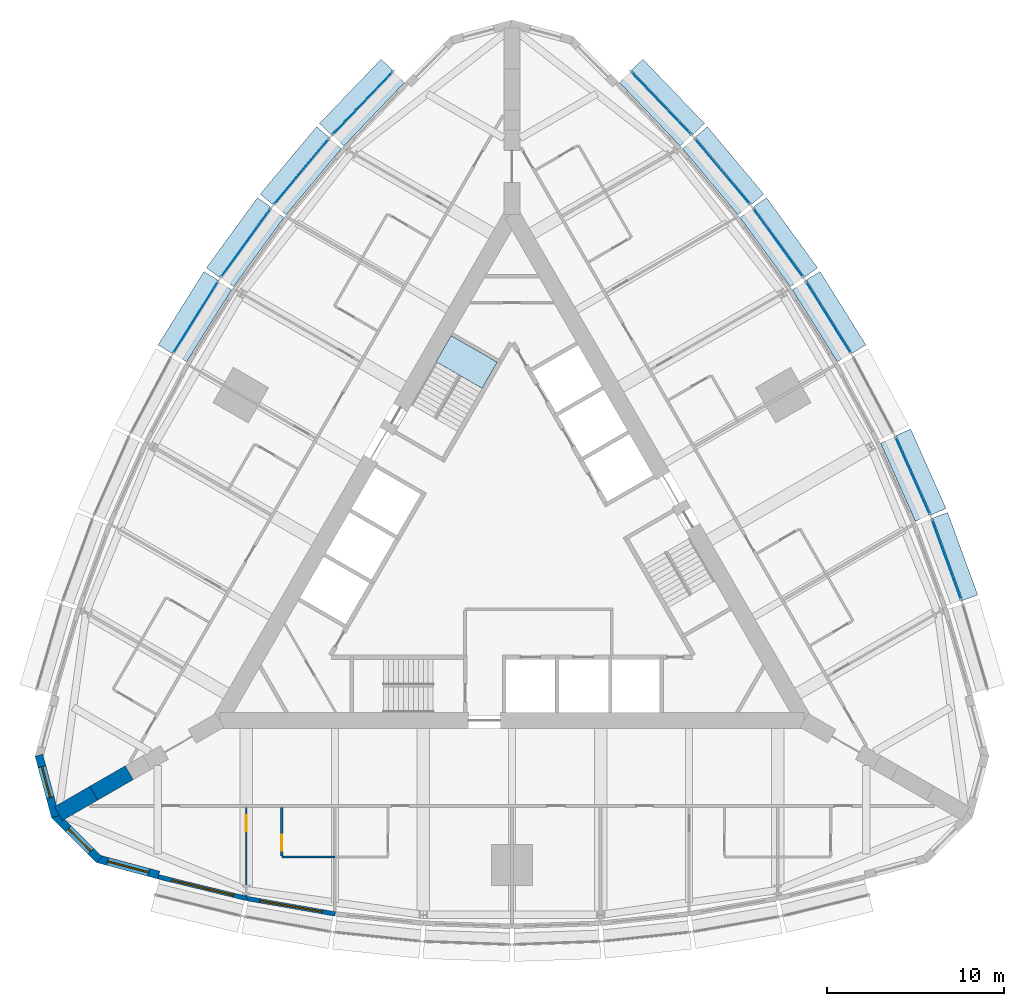
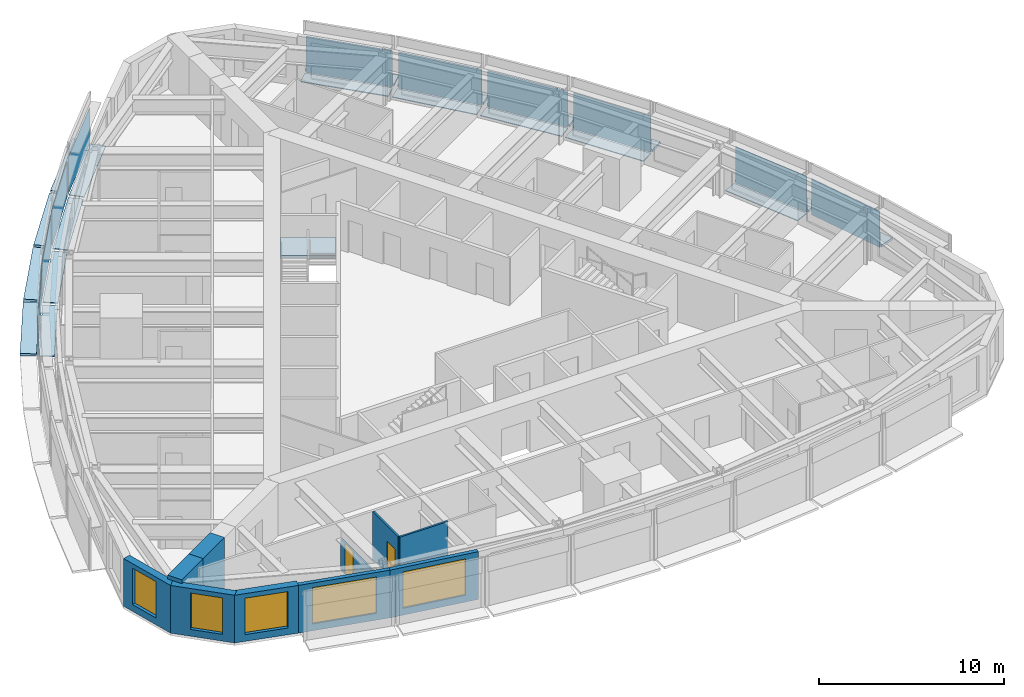
# One storey, part 8 of 15: 29 plates, 10 walls, 5 windows, 2 doors, 1 slab, 7 openings, 11 elements without a shape of their own.
"""IFC4 building model written with IfcOpenShell, lengths in metres."""

from ifc_helpers import new_model, si_unit, direction, frame, frame_2d, origin, origin_2d, place, context, subcontext, project, spatial, polyline, rectangle, outline, extrude, material, layer, layer_set, type_object, element, fill, aggregate, save


model = new_model("IFC4")

# Units and contexts
model_context = context("Model", 3, precision=1e-05, world=origin(), true_north=direction((0.0, 1.0)))
body_context = subcontext(model_context, "Body", "Model", "MODEL_VIEW")
ifc_project = project(units=[si_unit("LENGTHUNIT", "METRE"), si_unit("AREAUNIT", "SQUARE_METRE"), si_unit("VOLUMEUNIT", "CUBIC_METRE"), si_unit("PLANEANGLEUNIT", "RADIAN"), si_unit("MASSUNIT", "GRAM", prefix="KILO")], contexts=[model_context])

# Site, building, storey
site_placement = place(None, origin())
site = spatial("IfcSite", under=ifc_project, at=site_placement, CompositionType="ELEMENT")
building_placement = place(site_placement, origin())
building = spatial("IfcBuilding", under=site, at=building_placement, Name="Trikona Tower", CompositionType="ELEMENT")
storey_placement = place(building_placement, frame((0.0, 0.0, 186.10009765625)))
storey = spatial("IfcBuildingStorey", under=building, at=storey_placement, Name="L50", CompositionType="ELEMENT", Elevation=186.10009765625)

# Plates
ifc_material_1 = material(Name="Aluminium bar grating", Category="aluminium")
ifc_layer_1 = layer(ifc_material_1, 0.050048828125)
ifc_layer_set_1 = layer_set([ifc_layer_1], Name="Cavity catwalk grating")
plate_type_1 = type_object("IfcPlateType", Name="Cavity catwalk grating", PredefinedType="USERDEFINED", material=ifc_layer_set_1)
plate_1_placement = place(storey_placement, frame((22.175048828125, 4.092529296875, -0.05029296875), z_axis=(0.0, 0.0, 1.0), x_axis=(-0.406843467615, 0.913497888809, 0.0)))
element("IfcPlate", 1, at=plate_1_placement, inside=storey, type_object=plate_type_1, Name="Cavity catwalk L50-14", ObjectType="CATWALK GRATING", PredefinedType="USERDEFINED", context=body_context, shape_type="SweptSolid", body=[
    extrude(rectangle(XDim=4.827392578125, YDim=0.830078125, at=origin_2d()), origin(), (0.0, 0.0, 1.0), 0.050048828125),
])
plate_2_placement = place(storey_placement, frame((17.450927734375, 12.978759765625, -0.05029296875), z_axis=(0.0, 0.0, 1.0), x_axis=(-0.529994748414, 0.848000923734, 0.0)))
element("IfcPlate", 2, at=plate_2_placement, inside=storey, type_object=plate_type_1, Name="Cavity catwalk L50-16", ObjectType="CATWALK GRATING", PredefinedType="USERDEFINED", context=body_context, shape_type="SweptSolid", body=[
    extrude(rectangle(XDim=4.802978515625, YDim=0.830078125, at=origin_2d()), origin(), (0.0, 0.0, 1.0), 0.050048828125),
])
plate_3_placement = place(storey_placement, frame((14.6318359375, 17.157958984375, -0.05029296875), z_axis=(0.0, 0.0, 1.0), x_axis=(-0.587686407834, 0.809088799853, 0.0)))
element("IfcPlate", 3, at=plate_3_placement, inside=storey, type_object=plate_type_1, Name="Cavity catwalk L50-17", ObjectType="CATWALK GRATING", PredefinedType="USERDEFINED", context=body_context, shape_type="SweptSolid", body=[
    extrude(rectangle(XDim=4.827392578125, YDim=0.830078125, at=origin_2d()), origin(), (0.0, 0.0, 1.0), 0.050048828125),
])
plate_4_placement = place(storey_placement, frame((11.508056640625, 21.160400390625, -0.05029296875), z_axis=(0.0, 0.0, 1.0), x_axis=(-0.641807063101, 0.766866151133, 0.0)))
element("IfcPlate", 4, at=plate_4_placement, inside=storey, type_object=plate_type_1, Name="Cavity catwalk L50-18", ObjectType="CATWALK GRATING", PredefinedType="USERDEFINED", context=body_context, shape_type="SweptSolid", body=[
    extrude(rectangle(XDim=4.8759765625, YDim=0.830078125, at=origin_2d()), origin(), (0.0, 0.0, 1.0), 0.050048828125),
])
for number, where, z_axis, x_axis, name in (
    (5, (8.080078125, 24.986328125, -0.05029296875), (0.0, 0.0, 1.0), (-0.691723573819, 0.722162376078, 0.0), "Cavity catwalk L50-19"),
    (6, (-8.080078125, 24.986328125, -0.05029296875), (0.0, 0.0, 1.0), (-0.691723573819, -0.722162376078, 0.0), "Cavity catwalk L50-24"),
):
    element("IfcPlate", number, at=place(storey_placement, frame(where, z_axis=z_axis, x_axis=x_axis)), inside=storey, type_object=plate_type_1, Name=name, ObjectType="CATWALK GRATING", PredefinedType="USERDEFINED", context=body_context, shape_type="SweptSolid", body=[
        extrude(rectangle(XDim=4.947998046875, YDim=0.830078125, at=origin_2d()), origin(), (0.0, 0.0, 1.0), 0.050048828125),
    ])
plate_5_placement = place(storey_placement, frame((-11.508056640625, 21.160400390625, -0.05029296875), z_axis=(0.0, 0.0, 1.0), x_axis=(-0.641807063101, -0.766866151133, 0.0)))
element("IfcPlate", 7, at=plate_5_placement, inside=storey, type_object=plate_type_1, Name="Cavity catwalk L50-25", ObjectType="CATWALK GRATING", PredefinedType="USERDEFINED", context=body_context, shape_type="SweptSolid", body=[
    extrude(rectangle(XDim=4.8759765625, YDim=0.830078125, at=origin_2d()), origin(), (0.0, 0.0, 1.0), 0.050048828125),
])
plate_6_placement = place(storey_placement, frame((-14.6318359375, 17.157958984375, -0.05029296875), z_axis=(0.0, 0.0, 1.0), x_axis=(-0.587686407834, -0.809088799853, 0.0)))
element("IfcPlate", 8, at=plate_6_placement, inside=storey, type_object=plate_type_1, Name="Cavity catwalk L50-26", ObjectType="CATWALK GRATING", PredefinedType="USERDEFINED", context=body_context, shape_type="SweptSolid", body=[
    extrude(rectangle(XDim=4.827392578125, YDim=0.830078125, at=origin_2d()), origin(), (0.0, 0.0, 1.0), 0.050048828125),
])
plate_7_placement = place(storey_placement, frame((-17.450927734375, 12.978759765625, -0.05029296875), z_axis=(0.0, 0.0, 1.0), x_axis=(-0.529994748414, -0.848000923734, 0.0)))
element("IfcPlate", 9, at=plate_7_placement, inside=storey, type_object=plate_type_1, Name="Cavity catwalk L50-27", ObjectType="CATWALK GRATING", PredefinedType="USERDEFINED", context=body_context, shape_type="SweptSolid", body=[
    extrude(rectangle(XDim=4.802978515625, YDim=0.830078125, at=origin_2d()), origin(), (0.0, 0.0, 1.0), 0.050048828125),
])

# Curtain wall, plate
ifc_material_2 = material(Name="Aluminium curtain wall system", Category="aluminium")
curtain_wall_type = type_object("IfcCurtainWallType", Name="Curtain wall DS2S", PredefinedType="NOTDEFINED", material=ifc_material_2)
curtain_wall_1_placement = place(storey_placement, origin())
curtain_wall_1 = element("IfcCurtainWall", 10, at=curtain_wall_1_placement, inside=storey, type_object=curtain_wall_type, Name="Curtain wall DS2S L50", PredefinedType="NOTDEFINED")
ifc_material_3 = material(Name="Laminated clear glass", Category="glass")
ifc_layer_2 = layer(ifc_material_3, 0.028076171875)
ifc_layer_set_2 = layer_set([ifc_layer_2], Name="Glass panel DS2S")
plate_type_2 = type_object("IfcPlateType", Name="Glass panel DS2S", PredefinedType="CURTAIN_PANEL", material=ifc_layer_set_2)
plate_8_placement = place(storey_placement, frame((24.53515625, -0.447509765625, 0.0), z_axis=(0.0, 0.0, 1.0), x_axis=(-0.343223420143, 0.939253790978, 0.0)))
plate_8 = element("IfcPlate", 11, at=plate_8_placement, type_object=plate_type_2, Name="CW-DS2S panel 1.1", PredefinedType="CURTAIN_PANEL", context=body_context, shape_type="SweptSolid", body=[
    extrude(rectangle(XDim=4.7958984375, YDim=0.028076171875, at=origin_2d()), origin(), (0.0, 0.0, 1.0), 2.39990234375),
])
aggregate(curtain_wall_1, [plate_8])

curtain_wall_2_placement = place(storey_placement, origin())
curtain_wall_2 = element("IfcCurtainWall", 12, at=curtain_wall_2_placement, inside=storey, type_object=curtain_wall_type, Name="Curtain wall DS2S L50", PredefinedType="NOTDEFINED")
plate_9_placement = place(storey_placement, frame((22.6181640625, 4.289794921875, 0.0), z_axis=(0.0, 0.0, 1.0), x_axis=(-0.406836013132, 0.913501208767, 0.0)))
plate_9 = element("IfcPlate", 13, at=plate_9_placement, type_object=plate_type_2, Name="CW-DS2S panel 1.1", PredefinedType="CURTAIN_PANEL", context=body_context, shape_type="SweptSolid", body=[
    extrude(rectangle(XDim=4.747314453125, YDim=0.028076171875, at=origin_2d()), origin(), (0.0, 0.0, 1.0), 2.39990234375),
])
aggregate(curtain_wall_2, [plate_9])

curtain_wall_3_placement = place(storey_placement, origin())
curtain_wall_3 = element("IfcCurtainWall", 14, at=curtain_wall_3_placement, inside=storey, type_object=curtain_wall_type, Name="Curtain wall DS2S L50", PredefinedType="NOTDEFINED")
plate_10_placement = place(storey_placement, frame((17.8623046875, 13.23583984375, 0.0), z_axis=(0.0, 0.0, 1.0), x_axis=(-0.529998940002, 0.847998304006, 0.0)))
plate_10 = element("IfcPlate", 15, at=plate_10_placement, type_object=plate_type_2, Name="CW-DS2S panel 1.1", PredefinedType="CURTAIN_PANEL", context=body_context, shape_type="SweptSolid", body=[
    extrude(rectangle(XDim=4.72314453125, YDim=0.028076171875, at=origin_2d()), origin(), (0.0, 0.0, 1.0), 2.39990234375),
])
aggregate(curtain_wall_3, [plate_10])

curtain_wall_4_placement = place(storey_placement, origin())
curtain_wall_4 = element("IfcCurtainWall", 16, at=curtain_wall_4_placement, inside=storey, type_object=curtain_wall_type, Name="Curtain wall DS2S L50", PredefinedType="NOTDEFINED")
plate_11_placement = place(storey_placement, frame((15.024169921875, 17.443115234375, 0.0), z_axis=(0.0, 0.0, 1.0), x_axis=(-0.587690588313, 0.80908576332, 0.0)))
plate_11 = element("IfcPlate", 17, at=plate_11_placement, type_object=plate_type_2, Name="CW-DS2S panel 1.1", PredefinedType="CURTAIN_PANEL", context=body_context, shape_type="SweptSolid", body=[
    extrude(rectangle(XDim=4.74755859375, YDim=0.028076171875, at=origin_2d()), origin(), (0.0, 0.0, 1.0), 2.39990234375),
])
aggregate(curtain_wall_4, [plate_11])

curtain_wall_5_placement = place(storey_placement, origin())
curtain_wall_5 = element("IfcCurtainWall", 18, at=curtain_wall_5_placement, inside=storey, type_object=curtain_wall_type, Name="Curtain wall DS2S L50", PredefinedType="NOTDEFINED")
plate_12_placement = place(storey_placement, frame((11.8798828125, 21.4716796875, 0.0), z_axis=(0.0, 0.0, 1.0), x_axis=(-0.641806433248, 0.766866678271, 0.0)))
plate_12 = element("IfcPlate", 19, at=plate_12_placement, type_object=plate_type_2, Name="CW-DS2S panel 1.1", PredefinedType="CURTAIN_PANEL", context=body_context, shape_type="SweptSolid", body=[
    extrude(rectangle(XDim=4.7958984375, YDim=0.028076171875, at=origin_2d()), origin(), (0.0, 0.0, 1.0), 2.39990234375),
])
aggregate(curtain_wall_5, [plate_12])

curtain_wall_6_placement = place(storey_placement, origin())
curtain_wall_6 = element("IfcCurtainWall", 20, at=curtain_wall_6_placement, inside=storey, type_object=curtain_wall_type, Name="Curtain wall DS2S L50", PredefinedType="NOTDEFINED")
plate_13_placement = place(storey_placement, frame((8.430419921875, 25.32177734375, 0.0), z_axis=(0.0, 0.0, 1.0), x_axis=(-0.691727797117, 0.722158330767, 0.0)))
plate_13 = element("IfcPlate", 21, at=plate_13_placement, type_object=plate_type_2, Name="CW-DS2S panel 1.1", PredefinedType="CURTAIN_PANEL", context=body_context, shape_type="SweptSolid", body=[
    extrude(rectangle(XDim=4.867919921875, YDim=0.028076171875, at=origin_2d()), origin(), (0.0, 0.0, 1.0), 2.39990234375),
])
aggregate(curtain_wall_6, [plate_13])

curtain_wall_7_placement = place(storey_placement, origin())
curtain_wall_7 = element("IfcCurtainWall", 22, at=curtain_wall_7_placement, inside=storey, type_object=curtain_wall_type, Name="Curtain wall DS2S L50", PredefinedType="NOTDEFINED")
plate_14_placement = place(storey_placement, frame((-8.430419921875, 25.32177734375, 0.0), z_axis=(0.0, 0.0, 1.0), x_axis=(-0.691727797117, -0.722158330767, 0.0)))
plate_14 = element("IfcPlate", 23, at=plate_14_placement, type_object=plate_type_2, Name="CW-DS2S panel 1.1", PredefinedType="CURTAIN_PANEL", context=body_context, shape_type="SweptSolid", body=[
    extrude(rectangle(XDim=4.867919921875, YDim=0.028076171875, at=origin_2d()), origin(), (0.0, 0.0, 1.0), 2.39990234375),
])
aggregate(curtain_wall_7, [plate_14])

curtain_wall_8_placement = place(storey_placement, origin())
curtain_wall_8 = element("IfcCurtainWall", 24, at=curtain_wall_8_placement, inside=storey, type_object=curtain_wall_type, Name="Curtain wall DS2S L50", PredefinedType="NOTDEFINED")
plate_15_placement = place(storey_placement, frame((-11.8798828125, 21.4716796875, 0.0), z_axis=(0.0, 0.0, 1.0), x_axis=(-0.641806433248, -0.766866678271, 0.0)))
plate_15 = element("IfcPlate", 25, at=plate_15_placement, type_object=plate_type_2, Name="CW-DS2S panel 1.1", PredefinedType="CURTAIN_PANEL", context=body_context, shape_type="SweptSolid", body=[
    extrude(rectangle(XDim=4.7958984375, YDim=0.028076171875, at=origin_2d()), origin(), (0.0, 0.0, 1.0), 2.39990234375),
])
aggregate(curtain_wall_8, [plate_15])

curtain_wall_9_placement = place(storey_placement, origin())
curtain_wall_9 = element("IfcCurtainWall", 26, at=curtain_wall_9_placement, inside=storey, type_object=curtain_wall_type, Name="Curtain wall DS2S L50", PredefinedType="NOTDEFINED")
plate_16_placement = place(storey_placement, frame((-15.024169921875, 17.443115234375, 0.0), z_axis=(0.0, 0.0, 1.0), x_axis=(-0.587690588313, -0.80908576332, 0.0)))
plate_16 = element("IfcPlate", 27, at=plate_16_placement, type_object=plate_type_2, Name="CW-DS2S panel 1.1", PredefinedType="CURTAIN_PANEL", context=body_context, shape_type="SweptSolid", body=[
    extrude(rectangle(XDim=4.74755859375, YDim=0.028076171875, at=origin_2d()), origin(), (0.0, 0.0, 1.0), 2.39990234375),
])
aggregate(curtain_wall_9, [plate_16])

curtain_wall_10_placement = place(storey_placement, origin())
curtain_wall_10 = element("IfcCurtainWall", 28, at=curtain_wall_10_placement, inside=storey, type_object=curtain_wall_type, Name="Curtain wall DS2S L50", PredefinedType="NOTDEFINED")
plate_17_placement = place(storey_placement, frame((-17.8623046875, 13.23583984375, 0.0), z_axis=(0.0, 0.0, 1.0), x_axis=(-0.529998940002, -0.847998304006, 0.0)))
plate_17 = element("IfcPlate", 29, at=plate_17_placement, type_object=plate_type_2, Name="CW-DS2S panel 1.1", PredefinedType="CURTAIN_PANEL", context=body_context, shape_type="SweptSolid", body=[
    extrude(rectangle(XDim=4.72314453125, YDim=0.028076171875, at=origin_2d()), origin(), (0.0, 0.0, 1.0), 2.39990234375),
])
aggregate(curtain_wall_10, [plate_17])

# Plates
ifc_material_4 = material(Name="Aluminium plate fin, pale anodised, on stainless steel outriggers", Category="steel")
ifc_layer_3 = layer(ifc_material_4, 0.14990234375)
ifc_layer_set_3 = layer_set([ifc_layer_3], Name="Outer skin fin 900")
plate_type_3 = type_object("IfcPlateType", Name="Outer skin fin 900", PredefinedType="USERDEFINED", material=ifc_layer_set_3)
plate_18_placement = place(storey_placement, frame((25.0234375, -0.26904296875, 0.0), z_axis=(0.0, 0.0, 1.0), x_axis=(-0.343220397324, 0.939254895575, 0.0)))
element("IfcPlate", 30, at=plate_18_placement, inside=storey, type_object=plate_type_3, Name="Outer skin fin L50-13", ObjectType="FIN", PredefinedType="USERDEFINED", context=body_context, shape_type="SweptSolid", body=[
    extrude(rectangle(XDim=4.9560546875, YDim=0.89990234375, at=origin_2d()), origin(), (0.0, 0.0, 1.0), 0.14990234375),
])
plate_19_placement = place(storey_placement, frame((23.09326171875, 4.50146484375, 0.0), z_axis=(0.0, 0.0, 1.0), x_axis=(-0.406843467615, 0.913497888809, 0.0)))
element("IfcPlate", 31, at=plate_19_placement, inside=storey, type_object=plate_type_3, Name="Outer skin fin L50-14", ObjectType="FIN", PredefinedType="USERDEFINED", context=body_context, shape_type="SweptSolid", body=[
    extrude(rectangle(XDim=4.907470703125, YDim=0.89990234375, at=origin_2d()), origin(), (0.0, 0.0, 1.0), 0.14990234375),
])
plate_20_placement = place(storey_placement, frame((18.30322265625, 13.511474609375, 0.0), z_axis=(0.0, 0.0, 1.0), x_axis=(-0.529994748414, 0.848000923734, 0.0)))
element("IfcPlate", 32, at=plate_20_placement, inside=storey, type_object=plate_type_3, Name="Outer skin fin L50-16", ObjectType="FIN", PredefinedType="USERDEFINED", context=body_context, shape_type="SweptSolid", body=[
    extrude(rectangle(XDim=4.883056640625, YDim=0.89990234375, at=origin_2d()), origin(), (0.0, 0.0, 1.0), 0.14990234375),
])
plate_21_placement = place(storey_placement, frame((15.44482421875, 17.74853515625, 0.0), z_axis=(0.0, 0.0, 1.0), x_axis=(-0.587686407834, 0.809088799853, 0.0)))
element("IfcPlate", 33, at=plate_21_placement, inside=storey, type_object=plate_type_3, Name="Outer skin fin L50-17", ObjectType="FIN", PredefinedType="USERDEFINED", context=body_context, shape_type="SweptSolid", body=[
    extrude(rectangle(XDim=4.907470703125, YDim=0.89990234375, at=origin_2d()), origin(), (0.0, 0.0, 1.0), 0.14990234375),
])
plate_22_placement = place(storey_placement, frame((12.27880859375, 21.8056640625, 0.0), z_axis=(0.0, 0.0, 1.0), x_axis=(-0.641807063101, 0.766866151133, 0.0)))
element("IfcPlate", 34, at=plate_22_placement, inside=storey, type_object=plate_type_3, Name="Outer skin fin L50-18", ObjectType="FIN", PredefinedType="USERDEFINED", context=body_context, shape_type="SweptSolid", body=[
    extrude(rectangle(XDim=4.9560546875, YDim=0.89990234375, at=origin_2d()), origin(), (0.0, 0.0, 1.0), 0.14990234375),
])
for number, where, z_axis, x_axis, name in (
    (35, (8.805908203125, 25.681396484375, 0.0), (0.0, 0.0, 1.0), (-0.691723573819, 0.722162376078, 0.0), "Outer skin fin L50-19"),
    (36, (-8.805908203125, 25.681396484375, 0.0), (0.0, 0.0, 1.0), (-0.691723573819, -0.722162376078, 0.0), "Outer skin fin L50-24"),
):
    element("IfcPlate", number, at=place(storey_placement, frame(where, z_axis=z_axis, x_axis=x_axis)), inside=storey, type_object=plate_type_3, Name=name, ObjectType="FIN", PredefinedType="USERDEFINED", context=body_context, shape_type="SweptSolid", body=[
        extrude(rectangle(XDim=5.02783203125, YDim=0.89990234375, at=origin_2d()), origin(), (0.0, 0.0, 1.0), 0.14990234375),
    ])
plate_23_placement = place(storey_placement, frame((-12.27880859375, 21.8056640625, 0.0), z_axis=(0.0, 0.0, 1.0), x_axis=(-0.641807063101, -0.766866151133, 0.0)))
element("IfcPlate", 37, at=plate_23_placement, inside=storey, type_object=plate_type_3, Name="Outer skin fin L50-25", ObjectType="FIN", PredefinedType="USERDEFINED", context=body_context, shape_type="SweptSolid", body=[
    extrude(rectangle(XDim=4.9560546875, YDim=0.89990234375, at=origin_2d()), origin(), (0.0, 0.0, 1.0), 0.14990234375),
])
plate_24_placement = place(storey_placement, frame((-15.44482421875, 17.74853515625, 0.0), z_axis=(0.0, 0.0, 1.0), x_axis=(-0.587686407834, -0.809088799853, 0.0)))
element("IfcPlate", 38, at=plate_24_placement, inside=storey, type_object=plate_type_3, Name="Outer skin fin L50-26", ObjectType="FIN", PredefinedType="USERDEFINED", context=body_context, shape_type="SweptSolid", body=[
    extrude(rectangle(XDim=4.907470703125, YDim=0.89990234375, at=origin_2d()), origin(), (0.0, 0.0, 1.0), 0.14990234375),
])
plate_25_placement = place(storey_placement, frame((-18.30322265625, 13.511474609375, 0.0), z_axis=(0.0, 0.0, 1.0), x_axis=(-0.529994748414, -0.848000923734, 0.0)))
element("IfcPlate", 39, at=plate_25_placement, inside=storey, type_object=plate_type_3, Name="Outer skin fin L50-27", ObjectType="FIN", PredefinedType="USERDEFINED", context=body_context, shape_type="SweptSolid", body=[
    extrude(rectangle(XDim=4.883056640625, YDim=0.89990234375, at=origin_2d()), origin(), (0.0, 0.0, 1.0), 0.14990234375),
])

# Stair, slab
ifc_material_5 = material(Name="Concrete f'c 5000 psi", Category="concrete")
stair_type = type_object("IfcStairType", Name="Core stair", PredefinedType="HALF_TURN_STAIR", material=ifc_material_5)
stair_placement = place(storey_placement, origin())
stair = element("IfcStair", 40, at=stair_placement, inside=storey, type_object=stair_type, Name="Stair C L50", PredefinedType="HALF_TURN_STAIR")
ifc_material_6 = material(Name="Concrete f'c 5000 psi", Category="concrete")
ifc_layer_4 = layer(ifc_material_6, 0.199951171875)
ifc_layer_set_4 = layer_set([ifc_layer_4], Name="Stair landing 200")
slab_type = type_object("IfcSlabType", Name="Stair landing 200", PredefinedType="LANDING", material=ifc_layer_set_4)
slab_placement = place(storey_placement, frame((0.0, 0.0, 1.5)))
slab = element("IfcSlab", 41, at=slab_placement, type_object=slab_type, Name="ST-C landing 2", PredefinedType="LANDING", context=body_context, shape_type="SweptSolid", body=[
    extrude(outline(polyline([(-0.837158203125, 10.702392578125), (-1.688720703125, 9.2275390625), (-4.286865234375, 10.7275390625), (-3.435302734375, 12.202392578125), (-0.837158203125, 10.702392578125)])), origin(), (0.0, 0.0, 1.0), 0.199951171875),
])
aggregate(stair, [slab])

# Wall
ifc_material_7 = material(Name="Metal stud and cement board", Category="gypsum")
ifc_layer_5 = layer(ifc_material_7, 0.1201171875)
ifc_layer_set_5 = layer_set([ifc_layer_5], Name="Bathroom wall 120")
wall_type_1 = type_object("IfcWallType", Name="Bathroom wall 120", PredefinedType="PLUMBINGWALL", material=ifc_layer_set_5)
wall_1_placement = place(storey_placement, frame((-13.0, -17.226318359375, 0.0), z_axis=(0.0, 0.0, 1.0), x_axis=(1.0, 0.0, 0.0)))
element("IfcWall", 42, at=wall_1_placement, inside=storey, type_object=wall_type_1, Name="Bathroom wall 5001.1", PredefinedType="PLUMBINGWALL", context=body_context, shape_type="SweptSolid", body=[
    extrude(rectangle(XDim=3.0, YDim=0.1201171875, at=frame_2d((1.5, 0.0))), origin(), (0.0, 0.0, 1.0), 3.14990234375),
])

# Wall, opening, door
wall_2_placement = place(storey_placement, frame((-13.0, -14.42626953125, 0.0), z_axis=(0.0, 0.0, 1.0), x_axis=(0.0, -1.0, 0.0)))
wall_2 = element("IfcWall", 43, at=wall_2_placement, inside=storey, type_object=wall_type_1, Name="Bathroom wall 5001.1", PredefinedType="PLUMBINGWALL", context=body_context, shape_type="SweptSolid", body=[
    extrude(rectangle(XDim=2.739990234375, YDim=0.1201171875, at=frame_2d((1.3701171875, 0.0))), origin(), (0.0, 0.0, 1.0), 3.14990234375),
])
opening_1_placement = place(wall_2_placement, frame((1.550048828125, 0.0, 0.0)))
opening_1 = element("IfcOpeningElement", 44, at=opening_1_placement, cuts=wall_2, Name="Opening D2", PredefinedType="OPENING", context=body_context, shape_type="SweptSolid", body=[
    extrude(rectangle(XDim=0.89990234375, YDim=2.1298828125, at=frame_2d((0.449951171875, 1.06494140625))), frame((0.0, 0.070068359375, 0.0), z_axis=(0.0, -1.0, 0.0), x_axis=(1.0, 0.0, 0.0)), (0.0, 0.0, 1.0), 0.14013671875),
])
ifc_material_8 = material(Name="Steel door frame with solid-core timber leaf", Category="steel")
door_type_1 = type_object("IfcDoorType", Name="Bathroom door 900x2130", OperationType="SLIDING_TO_LEFT", PredefinedType="DOOR", material=ifc_material_8)
door_1_placement = place(opening_1_placement, origin())
door_1 = element("IfcDoor", 45, at=door_1_placement, inside=storey, type_object=door_type_1, Name="Bathroom door 5001.1", OperationType="SLIDING_TO_LEFT", OverallHeight=2.1298828125, OverallWidth=0.89990234375, PredefinedType="DOOR", context=body_context, shape_type="SweptSolid", body=[
    extrude(rectangle(XDim=0.89990234375, YDim=2.1298828125, at=frame_2d((0.449951171875, 1.06494140625))), frame((0.0, 0.02490234375, 0.0), z_axis=(0.0, -1.0, 0.0), x_axis=(1.0, 0.0, 0.0)), (0.0, 0.0, 1.0), 0.050048828125),
])
fill(opening_1, door_1)

# Wall, opening, window
ifc_material_9 = material(Name="Brick-faced precast concrete", Category="masonry")
ifc_layer_6 = layer(ifc_material_9, 0.449951171875)
ifc_layer_set_6 = layer_set([ifc_layer_6], Name="Brick-faced corner wall 450")
wall_type_2 = type_object("IfcWallType", Name="Brick-faced corner wall 450", PredefinedType="SOLIDWALL", material=ifc_layer_set_6)
wall_3_placement = place(storey_placement, frame((-26.7109375, -11.48876953125, 0.0), z_axis=(0.0, 0.0, 1.0), x_axis=(0.258823421857, -0.965924653531, 0.0)))
wall_3 = element("IfcWall", 46, at=wall_3_placement, inside=storey, type_object=wall_type_2, Name="External wall L50-33", PredefinedType="SOLIDWALL", context=body_context, shape_type="SweptSolid", body=[
    extrude(outline(polyline([(3.58642578125, 0.22509765625), (3.52685546875, 0.22509765625), (3.03515625, 0.09326171875), (3.0, 0.22509765625), (0.0, 0.22509765625), (0.0, -0.22509765625), (3.58642578125, -0.22509765625), (3.58642578125, 0.22509765625)])), origin(), (0.0, 0.0, 1.0), 3.14990234375),
])
opening_2_placement = place(wall_3_placement, frame((0.6748046875, 0.0, 0.449951171875)))
opening_2 = element("IfcOpeningElement", 47, at=opening_2_placement, cuts=wall_3, Name="Opening W1824", PredefinedType="OPENING", context=body_context, shape_type="SweptSolid", body=[
    extrude(rectangle(XDim=1.800048828125, YDim=2.39990234375, at=frame_2d((0.89990234375, 1.199951171875))), frame((0.0, 0.23486328125, 0.0), z_axis=(0.0, -1.0, 0.0), x_axis=(1.0, 0.0, 0.0)), (0.0, 0.0, 1.0), 0.469970703125),
])
ifc_material_10 = material(Name="Aluminium-framed double glazing", Category="aluminium")
window_type_1 = type_object("IfcWindowType", Name="Window 1800x2400", PartitioningType="SINGLE_PANEL", PredefinedType="WINDOW", material=ifc_material_10)
window_1_placement = place(opening_2_placement, origin())
window_1 = element("IfcWindow", 48, at=window_1_placement, inside=storey, type_object=window_type_1, Name="Window 5012", OverallHeight=2.39990234375, OverallWidth=1.800048828125, PartitioningType="SINGLE_PANEL", PredefinedType="WINDOW", context=body_context, shape_type="SweptSolid", body=[
    extrude(rectangle(XDim=1.800048828125, YDim=2.39990234375, at=frame_2d((0.89990234375, 1.199951171875))), frame((0.0, 0.030029296875, 0.0), z_axis=(0.0, -1.0, 0.0), x_axis=(1.0, 0.0, 0.0)), (0.0, 0.0, 1.0), 0.06005859375),
])
fill(opening_2, window_1)

wall_4_placement = place(storey_placement, frame((-25.8408203125, -14.85205078125, 0.0), z_axis=(0.0, 0.0, 1.0), x_axis=(0.707106781187, -0.707106781187, 0.0)))
wall_4 = element("IfcWall", 49, at=wall_4_placement, inside=storey, type_object=wall_type_2, Name="External wall L50-34", PredefinedType="SOLIDWALL", context=body_context, shape_type="SweptSolid", body=[
    extrude(outline(polyline([(3.586181640625, 0.22509765625), (0.58642578125, 0.22509765625), (0.551025390625, 0.09326171875), (0.05908203125, 0.22509765625), (0.0, 0.22509765625), (0.0, -0.22509765625), (3.586181640625, -0.22509765625), (3.586181640625, 0.22509765625)])), origin(), (0.0, 0.0, 1.0), 3.14990234375),
])
opening_3_placement = place(wall_4_placement, frame((1.111328125, 0.0, 0.449951171875)))
opening_3 = element("IfcOpeningElement", 50, at=opening_3_placement, cuts=wall_4, Name="Opening W1824", PredefinedType="OPENING", context=body_context, shape_type="SweptSolid", body=[
    extrude(rectangle(XDim=1.800048828125, YDim=2.39990234375, at=frame_2d((0.89990234375, 1.199951171875))), frame((0.0, 0.23486328125, 0.0), z_axis=(0.0, -1.0, 0.0), x_axis=(1.0, 0.0, 0.0)), (0.0, 0.0, 1.0), 0.469970703125),
])
window_2_placement = place(opening_3_placement, origin())
window_2 = element("IfcWindow", 51, at=window_2_placement, inside=storey, type_object=window_type_1, Name="Window 5001", OverallHeight=2.39990234375, OverallWidth=1.800048828125, PartitioningType="SINGLE_PANEL", PredefinedType="WINDOW", context=body_context, shape_type="SweptSolid", body=[
    extrude(rectangle(XDim=1.800048828125, YDim=2.39990234375, at=frame_2d((0.89990234375, 1.199951171875))), frame((0.0, 0.030029296875, 0.0), z_axis=(0.0, -1.0, 0.0), x_axis=(1.0, 0.0, 0.0)), (0.0, 0.0, 1.0), 0.06005859375),
])
fill(opening_3, window_2)

wall_5_placement = place(storey_placement, frame((-23.406005859375, -17.32958984375, 0.0), z_axis=(0.0, 0.0, 1.0), x_axis=(0.965924653531, -0.258823421857, 0.0)))
wall_5 = element("IfcWall", 52, at=wall_5_placement, inside=storey, type_object=wall_type_2, Name="External wall L50-35", PredefinedType="SOLIDWALL", context=body_context, shape_type="SweptSolid", body=[
    extrude(rectangle(XDim=3.58642578125, YDim=0.449951171875, at=frame_2d((1.793212890625, 0.0))), origin(), (0.0, 0.0, 1.0), 3.14990234375),
])
opening_4_placement = place(wall_5_placement, frame((0.593017578125, 0.0, 0.449951171875)))
opening_4 = element("IfcOpeningElement", 53, at=opening_4_placement, cuts=wall_5, Name="Opening W2424", PredefinedType="OPENING", context=body_context, shape_type="SweptSolid", body=[
    extrude(rectangle(XDim=2.39990234375, YDim=2.39990234375, at=frame_2d((1.199951171875, 1.199951171875))), frame((0.0, 0.23486328125, 0.0), z_axis=(0.0, -1.0, 0.0), x_axis=(1.0, 0.0, 0.0)), (0.0, 0.0, 1.0), 0.469970703125),
])
ifc_material_11 = material(Name="Aluminium-framed double glazing", Category="aluminium")
window_type_2 = type_object("IfcWindowType", Name="Window 2400x2400", PartitioningType="SINGLE_PANEL", PredefinedType="WINDOW", material=ifc_material_11)
window_3_placement = place(opening_4_placement, origin())
window_3 = element("IfcWindow", 54, at=window_3_placement, inside=storey, type_object=window_type_2, Name="Window 5001", OverallHeight=2.39990234375, OverallWidth=2.39990234375, PartitioningType="SINGLE_PANEL", PredefinedType="WINDOW", context=body_context, shape_type="SweptSolid", body=[
    extrude(rectangle(XDim=2.39990234375, YDim=2.39990234375, at=frame_2d((1.199951171875, 1.199951171875))), frame((0.0, 0.030029296875, 0.0), z_axis=(0.0, -1.0, 0.0), x_axis=(1.0, 0.0, 0.0)), (0.0, 0.0, 1.0), 0.06005859375),
])
fill(opening_4, window_3)

# Walls
ifc_material_12 = material(Name="Concrete f'c 10000 psi", Category="concrete")
ifc_layer_7 = layer(ifc_material_12, 0.89990234375)
ifc_layer_set_7 = layer_set([ifc_layer_7], Name="Buttress wall 900")
wall_type_3 = type_object("IfcWallType", Name="Buttress wall 900", PredefinedType="SHEAR", material=ifc_layer_set_7)
for number, where, z_axis, x_axis, name in (
    (55, (-21.6103515625, -12.476806640625, 0.0), (0.0, 0.0, 1.0), (-0.866055313784, -0.499948190782, 0.0), "Buttress wall 3 part 3"),
    (56, (-23.6103515625, -13.63134765625, 0.0), (0.0, 0.0, 1.0), (-0.866009537788, -0.500027479704, 0.0), "Buttress wall 3 part 4"),
):
    element("IfcWall", number, at=place(storey_placement, frame(where, z_axis=z_axis, x_axis=x_axis)), inside=storey, type_object=wall_type_3, Name=name, PredefinedType="SHEAR", context=body_context, shape_type="SweptSolid", body=[
        extrude(rectangle(XDim=2.309326171875, YDim=0.89990234375, at=frame_2d((1.15478515625, 0.0))), origin(), (0.0, 0.0, 1.0), 3.39990234375),
    ])

# Wall, opening, window
ifc_material_13 = material(Name="Insulated precast concrete spandrel panel", Category="concrete")
ifc_layer_8 = layer(ifc_material_13, 0.25)
ifc_layer_set_8 = layer_set([ifc_layer_8], Name="Inner skin wall 250")
wall_type_4 = type_object("IfcWallType", Name="Inner skin wall 250", PredefinedType="STANDARD", material=ifc_layer_set_8)
wall_6_placement = place(storey_placement, frame((-19.97021484375, -18.353759765625, 0.0), z_axis=(0.0, 0.0, 1.0), x_axis=(0.971270024053, -0.237980126011, 0.0)))
wall_6 = element("IfcWall", 57, at=wall_6_placement, inside=storey, type_object=wall_type_4, Name="External wall L50-00", PredefinedType="STANDARD", context=body_context, shape_type="SweptSolid", body=[
    extrude(rectangle(XDim=5.14794921875, YDim=0.25, at=frame_2d((2.573974609375, 0.0))), origin(), (0.0, 0.0, 1.0), 3.14990234375),
])
opening_5_placement = place(wall_6_placement, frame((0.77392578125, 0.0, 0.449951171875)))
opening_5 = element("IfcOpeningElement", 58, at=opening_5_placement, cuts=wall_6, Name="Opening W3624", PredefinedType="OPENING", context=body_context, shape_type="SweptSolid", body=[
    extrude(rectangle(XDim=3.60009765625, YDim=2.39990234375, at=frame_2d((1.800048828125, 1.199951171875))), frame((0.0, 0.135009765625, 0.0), z_axis=(0.0, -1.0, 0.0), x_axis=(1.0, 0.0, 0.0)), (0.0, 0.0, 1.0), 0.27001953125),
])
ifc_material_14 = material(Name="Aluminium-framed double glazing", Category="aluminium")
window_type_3 = type_object("IfcWindowType", Name="Window 3600x2400", PartitioningType="SINGLE_PANEL", PredefinedType="WINDOW", material=ifc_material_14)
window_4_placement = place(opening_5_placement, origin())
window_4 = element("IfcWindow", 59, at=window_4_placement, inside=storey, type_object=window_type_3, Name="Window 5001", OverallHeight=2.39990234375, OverallWidth=3.60009765625, PartitioningType="SINGLE_PANEL", PredefinedType="WINDOW", context=body_context, shape_type="SweptSolid", body=[
    extrude(rectangle(XDim=3.60009765625, YDim=2.39990234375, at=frame_2d((1.800048828125, 1.199951171875))), frame((0.0, 0.030029296875, 0.0), z_axis=(0.0, -1.0, 0.0), x_axis=(1.0, 0.0, 0.0)), (0.0, 0.0, 1.0), 0.06005859375),
])
fill(opening_5, window_4)

wall_7_placement = place(storey_placement, frame((-14.978515625, -19.5771484375, 0.0), z_axis=(0.0, 0.0, 1.0), x_axis=(0.985030467156, -0.172380331752, 0.0)))
wall_7 = element("IfcWall", 60, at=wall_7_placement, inside=storey, type_object=wall_type_4, Name="External wall L50-01", PredefinedType="STANDARD", context=body_context, shape_type="SweptSolid", body=[
    extrude(rectangle(XDim=5.075927734375, YDim=0.25, at=frame_2d((2.5380859375, 0.0))), origin(), (0.0, 0.0, 1.0), 3.14990234375),
])
opening_6_placement = place(wall_7_placement, frame((0.738037109375, 0.0, 0.449951171875)))
opening_6 = element("IfcOpeningElement", 61, at=opening_6_placement, cuts=wall_7, Name="Opening W3624", PredefinedType="OPENING", context=body_context, shape_type="SweptSolid", body=[
    extrude(rectangle(XDim=3.60009765625, YDim=2.39990234375, at=frame_2d((1.800048828125, 1.199951171875))), frame((0.0, 0.135009765625, 0.0), z_axis=(0.0, -1.0, 0.0), x_axis=(1.0, 0.0, 0.0)), (0.0, 0.0, 1.0), 0.27001953125),
])
window_5_placement = place(opening_6_placement, origin())
window_5 = element("IfcWindow", 62, at=window_5_placement, inside=storey, type_object=window_type_3, Name="Window 5001.1", OverallHeight=2.39990234375, OverallWidth=3.60009765625, PartitioningType="SINGLE_PANEL", PredefinedType="WINDOW", context=body_context, shape_type="SweptSolid", body=[
    extrude(rectangle(XDim=3.60009765625, YDim=2.39990234375, at=frame_2d((1.800048828125, 1.199951171875))), frame((0.0, 0.030029296875, 0.0), z_axis=(0.0, -1.0, 0.0), x_axis=(1.0, 0.0, 0.0)), (0.0, 0.0, 1.0), 0.06005859375),
])
fill(opening_6, window_5)

# Wall, opening, door
ifc_material_15 = material(Name="Metal stud and gypsum board, acoustic", Category="gypsum")
ifc_layer_9 = layer(ifc_material_15, 0.10009765625)
ifc_layer_set_9 = layer_set([ifc_layer_9], Name="Suite partition 100")
wall_type_5 = type_object("IfcWallType", Name="Suite partition 100", PredefinedType="PARTITIONING", material=ifc_layer_set_9)
wall_8_placement = place(storey_placement, frame((-15.0, -14.42626953125, 0.0), z_axis=(0.0, 0.0, 1.0), x_axis=(0.0, -1.0, 0.0)))
wall_8 = element("IfcWall", 63, at=wall_8_placement, inside=storey, type_object=wall_type_5, Name="Suite partition L50 F1 u-15", PredefinedType="PARTITIONING", context=body_context, shape_type="SweptSolid", body=[
    extrude(rectangle(XDim=5.0166015625, YDim=0.10009765625, at=frame_2d((2.50830078125, 0.0))), origin(), (0.0, 0.0, 1.0), 2.0498046875),
])
opening_7_placement = place(wall_8_placement, frame((0.449951171875, 0.0, 0.0)))
opening_7 = element("IfcOpeningElement", 64, at=opening_7_placement, cuts=wall_8, Name="Opening D16", PredefinedType="OPENING", context=body_context, shape_type="SweptSolid", body=[
    extrude(rectangle(XDim=0.89990234375, YDim=2.031982421875, at=frame_2d((0.449951171875, 1.01611328125))), frame((0.0, 0.06005859375, 0.0), z_axis=(0.0, -1.0, 0.0), x_axis=(1.0, 0.0, 0.0)), (0.0, 0.0, 1.0), 0.1201171875),
])
ifc_material_16 = material(Name="Steel door frame with solid-core timber leaf", Category="steel")
door_type_2 = type_object("IfcDoorType", Name="Suite door 900x2032", OperationType="SINGLE_SWING_LEFT", PredefinedType="DOOR", material=ifc_material_16)
door_2_placement = place(opening_7_placement, origin())
door_2 = element("IfcDoor", 65, at=door_2_placement, inside=storey, type_object=door_type_2, Name="Suite door 5001", OperationType="SINGLE_SWING_LEFT", OverallHeight=2.031982421875, OverallWidth=0.89990234375, PredefinedType="DOOR", context=body_context, shape_type="SweptSolid", body=[
    extrude(rectangle(XDim=0.89990234375, YDim=2.031982421875, at=frame_2d((0.449951171875, 1.01611328125))), frame((0.0, 0.02490234375, 0.0), z_axis=(0.0, -1.0, 0.0), x_axis=(1.0, 0.0, 0.0)), (0.0, 0.0, 1.0), 0.050048828125),
])
fill(opening_7, door_2)

save(model, "model.ifc")
